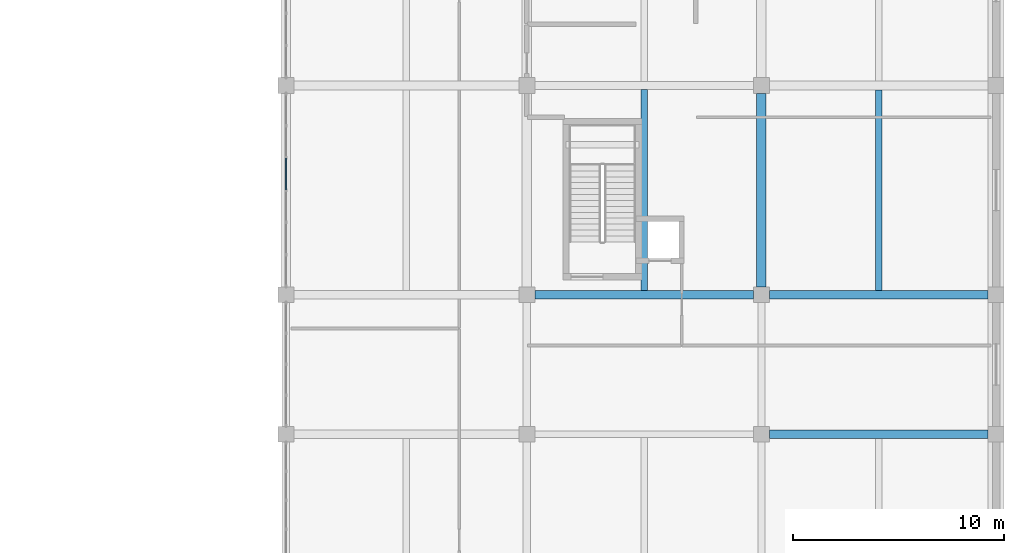
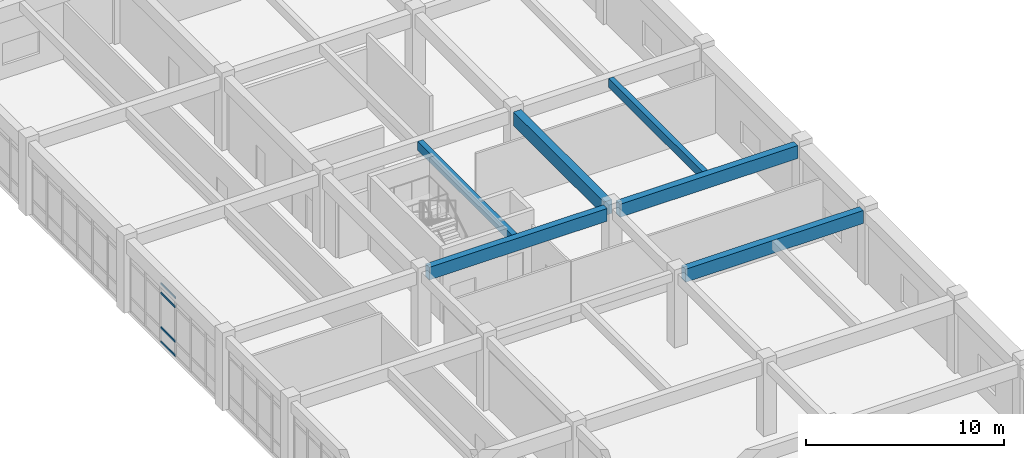
# One storey, part 29 of 68: 6 beams, 4 members, 1 element without a shape of its own.
"""IFC4 building model written with IfcOpenShell, lengths in metres."""

from ifc_helpers import new_model, si_unit, direction, frame, origin, origin_2d, place, context, subcontext, project, spatial, rectangle, extrude, material, layer, layer_set, material_profile, profile_set, type_object, element, aggregate, save


model = new_model("IFC4")

# Units and contexts
model_context = context("Model", 3, precision=1e-05, world=origin(), true_north=direction((0.0, 1.0)))
body_context = subcontext(model_context, "Body", "Model", "MODEL_VIEW")
ifc_project = project(units=[si_unit("LENGTHUNIT", "METRE"), si_unit("AREAUNIT", "SQUARE_METRE"), si_unit("VOLUMEUNIT", "CUBIC_METRE"), si_unit("PLANEANGLEUNIT", "RADIAN"), si_unit("MASSUNIT", "GRAM", prefix="KILO")], contexts=[model_context])

# Site, building, storey
site_placement = place(None, origin())
site = spatial("IfcSite", under=ifc_project, at=site_placement, CompositionType="ELEMENT")
building_placement = place(site_placement, origin())
building = spatial("IfcBuilding", under=site, at=building_placement, Name="Miralva Faculty of Natural Sciences", CompositionType="ELEMENT")
storey_placement = place(building_placement, frame((0.0, 0.0, 5.39990234375)))
storey = spatial("IfcBuildingStorey", under=building, at=storey_placement, Name="L01", CompositionType="ELEMENT", Elevation=5.39990234375)

# Beams
ifc_material_1 = material(Name="Concrete C40/50", Category="concrete")
ifc_material_profile_1 = material_profile(ifc_material_1, rectangle(XDim=0.449951171875, YDim=0.85009765625, at=origin_2d()), Name="RC 450x850")
ifc_profile_set_1 = profile_set([ifc_material_profile_1], Name="Concrete C40/50")
beam_type_1 = type_object("IfcBeamType", Name="BM-B01", PredefinedType="BEAM", material=ifc_profile_set_1)
beam_1_placement = place(storey_placement, frame((156.300048828125, 45.97509765625, 4.05517578125), z_axis=(0.0, 1.0, 0.0), x_axis=(-1.0, 0.0, 0.0)))
element("IfcBeam", 1, at=beam_1_placement, inside=storey, type_object=beam_type_1, Name="Girder NS L01-178", PredefinedType="BEAM", context=body_context, shape_type="SweptSolid", body=[
    extrude(rectangle(XDim=0.449951171875, YDim=0.85009765625, at=origin_2d()), origin(), (0.0, 0.0, 1.0), 9.14990234375),
])
ifc_material_profile_2 = material_profile(ifc_material_1, rectangle(XDim=0.39990234375, YDim=0.800048828125, at=origin_2d()), Name="RC 400x800")
ifc_profile_set_2 = profile_set([ifc_material_profile_2], Name="Concrete C40/50")
beam_type_2 = type_object("IfcBeamType", Name="BM-B02", PredefinedType="BEAM", material=ifc_profile_set_2)
for number, where, z_axis, x_axis, name in (
    (2, (156.675048828125, 39.0, 4.080078125), (1.0, 0.0, 0.0), (0.0, 1.0, 0.0), "Girder EW L01-44"),
    (3, (156.675048828125, 45.60009765625, 4.080078125), (1.0, 0.0, 0.0), (0.0, 1.0, 0.0), "Girder EW L01-50"),
):
    element("IfcBeam", number, at=place(storey_placement, frame(where, z_axis=z_axis, x_axis=x_axis)), inside=storey, type_object=beam_type_2, Name=name, PredefinedType="BEAM", context=body_context, shape_type="SweptSolid", body=[
        extrude(rectangle(XDim=0.39990234375, YDim=0.800048828125, at=origin_2d()), origin(), (0.0, 0.0, 1.0), 10.349853515625),
    ])
ifc_material_profile_3 = material_profile(ifc_material_1, rectangle(XDim=0.3798828125, YDim=0.780029296875, at=origin_2d()), Name="RC 380x780")
ifc_profile_set_3 = profile_set([ifc_material_profile_3], Name="Concrete C40/50")
beam_type_3 = type_object("IfcBeamType", Name="BM-BG07", PredefinedType="BEAM", material=ifc_profile_set_3)
beam_2_placement = place(storey_placement, frame((145.574951171875, 45.60009765625, 4.090087890625), z_axis=(1.0, 0.0, 0.0), x_axis=(0.0, 1.0, 0.0)))
element("IfcBeam", 4, at=beam_2_placement, inside=storey, type_object=beam_type_3, Name="Girder EW L01-49", PredefinedType="BEAM", context=body_context, shape_type="SweptSolid", body=[
    extrude(rectangle(XDim=0.3798828125, YDim=0.780029296875, at=origin_2d()), origin(), (0.0, 0.0, 1.0), 10.35009765625),
])
ifc_material_profile_4 = material_profile(ifc_material_1, rectangle(XDim=0.300048828125, YDim=0.550048828125, at=origin_2d()), Name="RC 300x550")
ifc_profile_set_4 = profile_set([ifc_material_profile_4], Name="Concrete C40/50")
beam_type_4 = type_object("IfcBeamType", Name="BM-J02", PredefinedType="JOIST", material=ifc_profile_set_4)
beam_3_placement = place(storey_placement, frame((150.75, 45.7900390625, 4.205078125), z_axis=(0.0, 1.0, 0.0), x_axis=(-1.0, 0.0, 0.0)))
element("IfcBeam", 5, at=beam_3_placement, inside=storey, type_object=beam_type_4, Name="Floor joist L01-15", PredefinedType="JOIST", context=body_context, shape_type="SweptSolid", body=[
    extrude(rectangle(XDim=0.300048828125, YDim=0.550048828125, at=origin_2d()), origin(), (0.0, 0.0, 1.0), 9.510009765625),
])
beam_4_placement = place(storey_placement, frame((161.85009765625, 45.800048828125, 4.205078125), z_axis=(0.0, 1.0, 0.0), x_axis=(-1.0, 0.0, 0.0)))
element("IfcBeam", 6, at=beam_4_placement, inside=storey, type_object=beam_type_4, Name="Floor joist L01-16", PredefinedType="JOIST", context=body_context, shape_type="SweptSolid", body=[
    extrude(rectangle(XDim=0.300048828125, YDim=0.550048828125, at=origin_2d()), origin(), (0.0, 0.0, 1.0), 9.47998046875),
])

# Curtain wall, members
ifc_material_2 = material(Name="Laminated solar-control glass", Category="glass")
ifc_layer = layer(ifc_material_2, 0.179931640625, Name="CW-COM-L01")
ifc_layer_set = layer_set([ifc_layer], Name="Laminated solar-control glass")
curtain_wall_type = type_object("IfcCurtainWallType", Name="CW-COM-L01", PredefinedType="USERDEFINED", material=ifc_layer_set)
curtain_wall_placement = place(storey_placement, origin())
curtain_wall = element("IfcCurtainWall", 7, at=curtain_wall_placement, inside=storey, type_object=curtain_wall_type, Name="Curtain wall CW-10 L01-265", ObjectType="UNITISED CURTAIN WALL", PredefinedType="USERDEFINED")
ifc_material_3 = material(Name="Anodised aluminium", Category="aluminium")
ifc_material_profile_5 = material_profile(ifc_material_3, rectangle(XDim=0.06005859375, YDim=0.1201171875, at=origin_2d()), Name="TRANSOM 60x120")
ifc_profile_set_5 = profile_set([ifc_material_profile_5], Name="Anodised aluminium")
member_type = type_object("IfcMemberType", Name="CW-T02", PredefinedType="USERDEFINED", material=ifc_profile_set_5)
member_1_placement = place(storey_placement, frame((133.800048828125, 50.580078125, 0.030029296875), z_axis=(0.0, 1.0, 0.0), x_axis=(-1.0, 0.0, 0.0)))
member_1 = element("IfcMember", 8, at=member_1_placement, type_object=member_type, Name="CW-10 transom 4.1", ObjectType="TRANSOM", PredefinedType="USERDEFINED", context=body_context, shape_type="SweptSolid", body=[
    extrude(rectangle(XDim=0.06005859375, YDim=0.1201171875, at=origin_2d()), origin(), (0.0, 0.0, 1.0), 1.46826171875),
])
member_2_placement = place(storey_placement, frame((133.800048828125, 50.580078125, 0.900146484375), z_axis=(0.0, 1.0, 0.0), x_axis=(-1.0, 0.0, 0.0)))
member_2 = element("IfcMember", 9, at=member_2_placement, type_object=member_type, Name="CW-10 transom 4.2", ObjectType="TRANSOM", PredefinedType="USERDEFINED", context=body_context, shape_type="SweptSolid", body=[
    extrude(rectangle(XDim=0.06005859375, YDim=0.1201171875, at=origin_2d()), origin(), (0.0, 0.0, 1.0), 1.46826171875),
])
member_3_placement = place(storey_placement, frame((133.800048828125, 50.580078125, 3.025146484375), z_axis=(0.0, 1.0, 0.0), x_axis=(-1.0, 0.0, 0.0)))
member_3 = element("IfcMember", 10, at=member_3_placement, type_object=member_type, Name="CW-10 transom 4.3", ObjectType="TRANSOM", PredefinedType="USERDEFINED", context=body_context, shape_type="SweptSolid", body=[
    extrude(rectangle(XDim=0.06005859375, YDim=0.1201171875, at=origin_2d()), origin(), (0.0, 0.0, 1.0), 1.46826171875),
])
member_4_placement = place(storey_placement, frame((133.800048828125, 50.580078125, 3.59521484375), z_axis=(0.0, 1.0, 0.0), x_axis=(-1.0, 0.0, 0.0)))
member_4 = element("IfcMember", 11, at=member_4_placement, type_object=member_type, Name="CW-10 transom 4.4", ObjectType="TRANSOM", PredefinedType="USERDEFINED", context=body_context, shape_type="SweptSolid", body=[
    extrude(rectangle(XDim=0.06005859375, YDim=0.1201171875, at=origin_2d()), origin(), (0.0, 0.0, 1.0), 1.46826171875),
])
aggregate(curtain_wall, [member_1, member_2, member_3, member_4])

save(model, "model.ifc")
